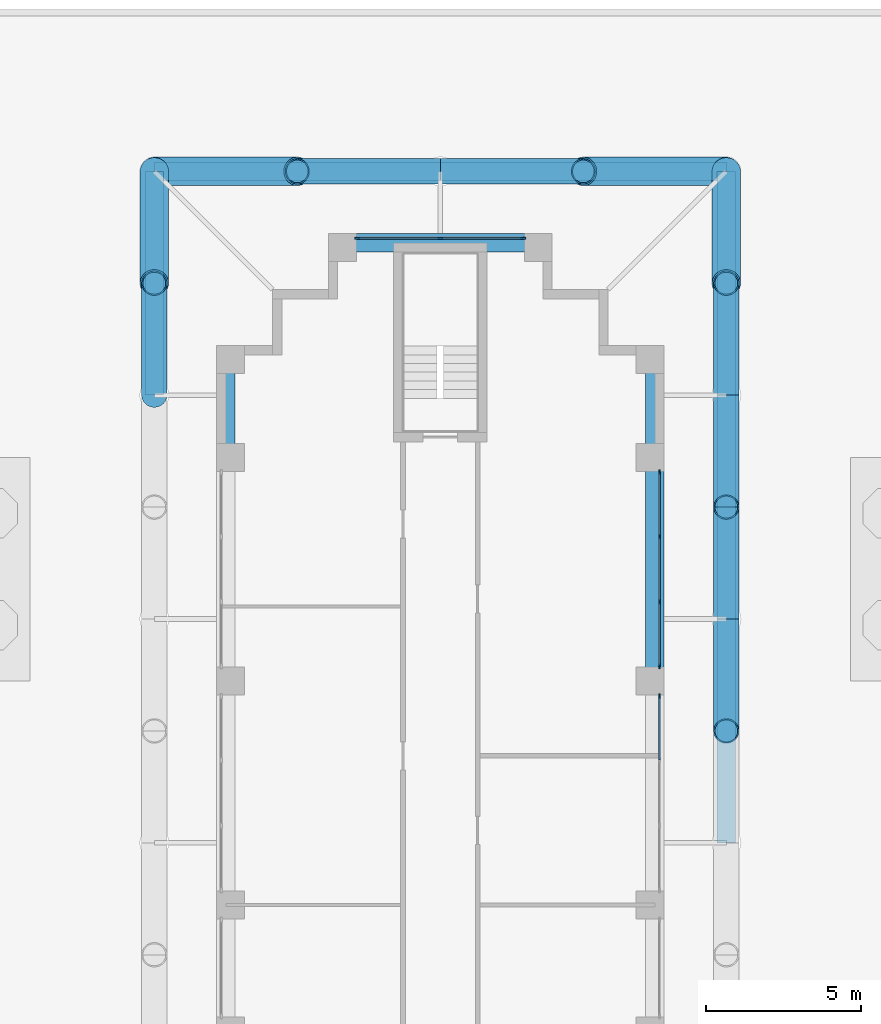
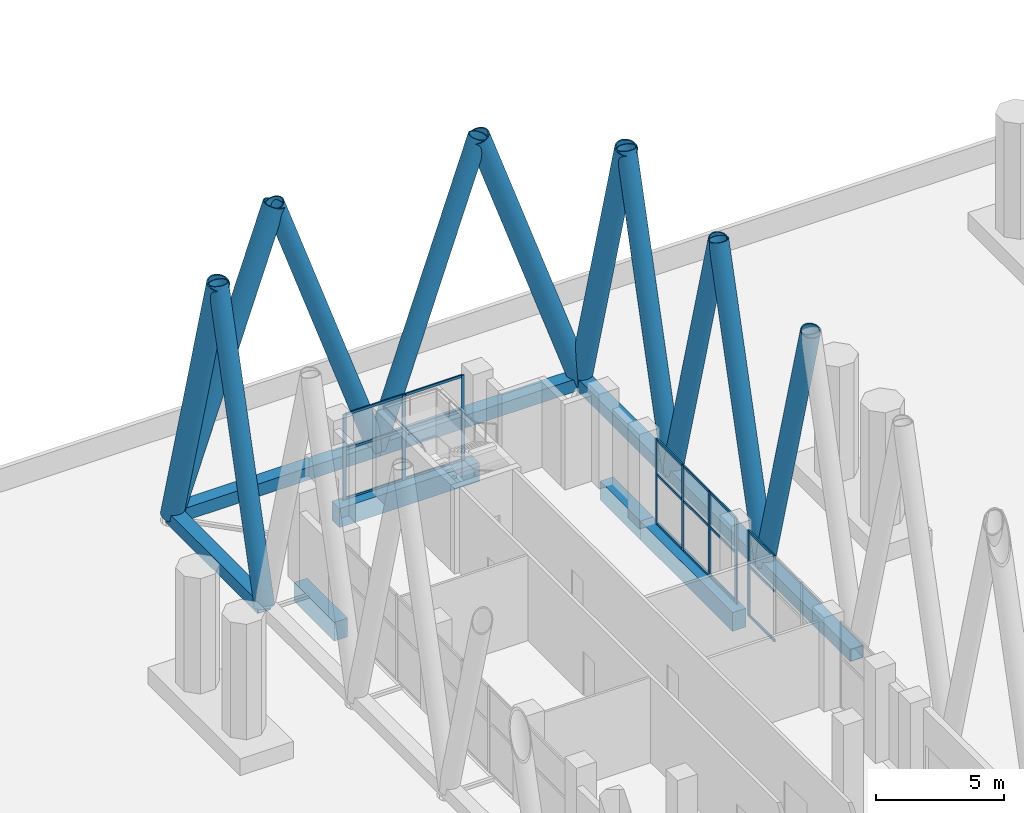
# One storey, part 12 of 31: 43 members, 4 beams, 3 elements without a shape of their own.
"""IFC4 building model written with IfcOpenShell, lengths in metres."""

from ifc_helpers import new_model, si_unit, direction, frame, origin, origin_2d, place, context, subcontext, project, spatial, rectangle, hollow_rectangle, hollow_circle, extrude, material, material_profile, profile_set, type_object, element, aggregate, save


model = new_model("IFC4")

# Units and contexts
model_context = context("Model", 3, precision=1e-05, world=origin(), true_north=direction((0.0, 1.0)))
body_context = subcontext(model_context, "Body", "Model", "MODEL_VIEW")
ifc_project = project(units=[si_unit("LENGTHUNIT", "METRE"), si_unit("AREAUNIT", "SQUARE_METRE"), si_unit("VOLUMEUNIT", "CUBIC_METRE"), si_unit("PLANEANGLEUNIT", "RADIAN"), si_unit("MASSUNIT", "GRAM", prefix="KILO")], contexts=[model_context])

# Site, building, storey
site_placement = place(None, origin())
site = spatial("IfcSite", under=ifc_project, at=site_placement, CompositionType="ELEMENT")
building_placement = place(site_placement, origin())
building = spatial("IfcBuilding", under=site, at=building_placement, Name="Fustian Cross Tower", CompositionType="ELEMENT")
storey_placement = place(building_placement, frame((0.0, 0.0, 7.199951171875)))
storey = spatial("IfcBuildingStorey", under=building, at=storey_placement, Name="L01", CompositionType="ELEMENT", Elevation=7.199951171875)

# Curtain wall, member
ifc_material_1 = material(Name="Glass", Category="glass")
curtain_wall_type = type_object("IfcCurtainWallType", Name="CW4 CURTAIN WALL", PredefinedType="NOTDEFINED", material=ifc_material_1)
curtain_wall_1_placement = place(storey_placement, origin())
curtain_wall_1 = element("IfcCurtainWall", 1, at=curtain_wall_1_placement, inside=storey, type_object=curtain_wall_type, Name="Curtain wall CW4", PredefinedType="NOTDEFINED")
ifc_material_2 = material(Name="Aluminium alloy 6063", Category="aluminium")
ifc_material_profile_1 = material_profile(ifc_material_2, rectangle(XDim=0.06005859375, YDim=0.159912109375, at=origin_2d()), Name="CW4 MULLION 60x160")
ifc_profile_set_1 = profile_set([ifc_material_profile_1], Name="Aluminium alloy 6063")
member_type_1 = type_object("IfcMemberType", Name="CW4 MULLION 60x160", PredefinedType="MULLION", material=ifc_profile_set_1)
member_1_placement = place(storey_placement, frame((7.050048828125, 28.320068359375, 0.0), z_axis=(0.0, 0.0, 1.0), x_axis=(-1.0, 0.0, 0.0)))
member_1 = element("IfcMember", 2, at=member_1_placement, type_object=member_type_1, Name="CW4 mullion 4", PredefinedType="MULLION", context=body_context, shape_type="SweptSolid", body=[
    extrude(rectangle(XDim=0.06005859375, YDim=0.159912109375, at=origin_2d()), origin(), (0.0, 0.0, 1.0), 4.074951171875),
])

# Curtain wall, members
curtain_wall_2_placement = place(storey_placement, origin())
curtain_wall_2 = element("IfcCurtainWall", 3, at=curtain_wall_2_placement, inside=storey, type_object=curtain_wall_type, Name="Curtain wall CW4", PredefinedType="NOTDEFINED")
member_2_placement = place(storey_placement, frame((7.050048828125, 29.280029296875, 0.0), z_axis=(0.0, 0.0, 1.0), x_axis=(-1.0, 0.0, 0.0)))
member_2 = element("IfcMember", 4, at=member_2_placement, type_object=member_type_1, Name="CW4 mullion 1", PredefinedType="MULLION", context=body_context, shape_type="SweptSolid", body=[
    extrude(rectangle(XDim=0.06005859375, YDim=0.159912109375, at=origin_2d()), origin(), (0.0, 0.0, 1.0), 4.074951171875),
])
member_3_placement = place(storey_placement, frame((7.050048828125, 31.35009765625, 0.0), z_axis=(0.0, 0.0, 1.0), x_axis=(-1.0, 0.0, 0.0)))
member_3 = element("IfcMember", 5, at=member_3_placement, type_object=member_type_1, Name="CW4 mullion 2", PredefinedType="MULLION", context=body_context, shape_type="SweptSolid", body=[
    extrude(rectangle(XDim=0.06005859375, YDim=0.159912109375, at=origin_2d()), origin(), (0.0, 0.0, 1.0), 4.074951171875),
])
member_4_placement = place(storey_placement, frame((7.050048828125, 33.449951171875, 0.0), z_axis=(0.0, 0.0, 1.0), x_axis=(-1.0, 0.0, 0.0)))
member_4 = element("IfcMember", 6, at=member_4_placement, type_object=member_type_1, Name="CW4 mullion 3", PredefinedType="MULLION", context=body_context, shape_type="SweptSolid", body=[
    extrude(rectangle(XDim=0.06005859375, YDim=0.159912109375, at=origin_2d()), origin(), (0.0, 0.0, 1.0), 4.074951171875),
])
member_5_placement = place(storey_placement, frame((7.050048828125, 35.52001953125, 0.0), z_axis=(0.0, 0.0, 1.0), x_axis=(-1.0, 0.0, 0.0)))
member_5 = element("IfcMember", 7, at=member_5_placement, type_object=member_type_1, Name="CW4 mullion 4", PredefinedType="MULLION", context=body_context, shape_type="SweptSolid", body=[
    extrude(rectangle(XDim=0.06005859375, YDim=0.159912109375, at=origin_2d()), origin(), (0.0, 0.0, 1.0), 4.074951171875),
])

curtain_wall_3_placement = place(storey_placement, origin())
curtain_wall_3 = element("IfcCurtainWall", 8, at=curtain_wall_3_placement, inside=storey, type_object=curtain_wall_type, Name="Curtain wall CW4", PredefinedType="NOTDEFINED")
member_6_placement = place(storey_placement, frame((2.669921875, 43.050048828125, 0.0), z_axis=(0.0, 0.0, 1.0), x_axis=(0.0, -1.0, 0.0)))
member_6 = element("IfcMember", 9, at=member_6_placement, type_object=member_type_1, Name="CW4 mullion 1", PredefinedType="MULLION", context=body_context, shape_type="SweptSolid", body=[
    extrude(rectangle(XDim=0.06005859375, YDim=0.159912109375, at=origin_2d()), origin(), (0.0, 0.0, 1.0), 4.074951171875),
])
member_7_placement = place(storey_placement, frame((0.0, 43.050048828125, 0.0), z_axis=(0.0, 0.0, 1.0), x_axis=(0.0, -1.0, 0.0)))
member_7 = element("IfcMember", 10, at=member_7_placement, type_object=member_type_1, Name="CW4 mullion 2", PredefinedType="MULLION", context=body_context, shape_type="SweptSolid", body=[
    extrude(rectangle(XDim=0.06005859375, YDim=0.159912109375, at=origin_2d()), origin(), (0.0, 0.0, 1.0), 4.074951171875),
])
member_8_placement = place(storey_placement, frame((-2.669921875, 43.050048828125, 0.0), z_axis=(0.0, 0.0, 1.0), x_axis=(0.0, -1.0, 0.0)))
member_8 = element("IfcMember", 11, at=member_8_placement, type_object=member_type_1, Name="CW4 mullion 3", PredefinedType="MULLION", context=body_context, shape_type="SweptSolid", body=[
    extrude(rectangle(XDim=0.06005859375, YDim=0.159912109375, at=origin_2d()), origin(), (0.0, 0.0, 1.0), 4.074951171875),
])

# Member
ifc_material_3 = material(Name="Aluminium alloy 6063", Category="aluminium")
ifc_material_profile_2 = material_profile(ifc_material_3, rectangle(XDim=0.06005859375, YDim=0.1201171875, at=origin_2d()), Name="CW4 TRANSOM 60x120")
ifc_profile_set_2 = profile_set([ifc_material_profile_2], Name="Aluminium alloy 6063")
member_type_2 = type_object("IfcMemberType", Name="CW4 TRANSOM 60x120", PredefinedType="USERDEFINED", material=ifc_profile_set_2)
member_9_placement = place(storey_placement, frame((7.050048828125, 26.280029296875, 0.030029296875), z_axis=(0.0, 1.0, 0.0), x_axis=(-1.0, 0.0, 0.0)))
member_9 = element("IfcMember", 12, at=member_9_placement, type_object=member_type_2, Name="CW4 transom 3.1", ObjectType="TRANSOM", PredefinedType="USERDEFINED", context=body_context, shape_type="SweptSolid", body=[
    extrude(rectangle(XDim=0.06005859375, YDim=0.1201171875, at=origin_2d()), origin(), (0.0, 0.0, 1.0), 2.010009765625),
])

member_10_placement = place(storey_placement, frame((7.050048828125, 26.280029296875, 2.400146484375), z_axis=(0.0, 1.0, 0.0), x_axis=(-1.0, 0.0, 0.0)))
member_10 = element("IfcMember", 13, at=member_10_placement, type_object=member_type_2, Name="CW4 transom 3.2", ObjectType="TRANSOM", PredefinedType="USERDEFINED", context=body_context, shape_type="SweptSolid", body=[
    extrude(rectangle(XDim=0.06005859375, YDim=0.1201171875, at=origin_2d()), origin(), (0.0, 0.0, 1.0), 2.010009765625),
])

member_11_placement = place(storey_placement, frame((7.050048828125, 26.280029296875, 4.045166015625), z_axis=(0.0, 1.0, 0.0), x_axis=(-1.0, 0.0, 0.0)))
member_11 = element("IfcMember", 14, at=member_11_placement, type_object=member_type_2, Name="CW4 transom 3.3", ObjectType="TRANSOM", PredefinedType="USERDEFINED", context=body_context, shape_type="SweptSolid", body=[
    extrude(rectangle(XDim=0.06005859375, YDim=0.1201171875, at=origin_2d()), origin(), (0.0, 0.0, 1.0), 2.010009765625),
])

aggregate(curtain_wall_1, [member_1, member_9, member_10, member_11])

member_12_placement = place(storey_placement, frame((7.050048828125, 29.31005859375, 0.030029296875), z_axis=(0.0, 1.0, 0.0), x_axis=(-1.0, 0.0, 0.0)))
member_12 = element("IfcMember", 15, at=member_12_placement, type_object=member_type_2, Name="CW4 transom 1.1", ObjectType="TRANSOM", PredefinedType="USERDEFINED", context=body_context, shape_type="SweptSolid", body=[
    extrude(rectangle(XDim=0.06005859375, YDim=0.1201171875, at=origin_2d()), origin(), (0.0, 0.0, 1.0), 2.010009765625),
])

member_13_placement = place(storey_placement, frame((7.050048828125, 29.31005859375, 2.400146484375), z_axis=(0.0, 1.0, 0.0), x_axis=(-1.0, 0.0, 0.0)))
member_13 = element("IfcMember", 16, at=member_13_placement, type_object=member_type_2, Name="CW4 transom 1.2", ObjectType="TRANSOM", PredefinedType="USERDEFINED", context=body_context, shape_type="SweptSolid", body=[
    extrude(rectangle(XDim=0.06005859375, YDim=0.1201171875, at=origin_2d()), origin(), (0.0, 0.0, 1.0), 2.010009765625),
])

member_14_placement = place(storey_placement, frame((7.050048828125, 29.31005859375, 4.045166015625), z_axis=(0.0, 1.0, 0.0), x_axis=(-1.0, 0.0, 0.0)))
member_14 = element("IfcMember", 17, at=member_14_placement, type_object=member_type_2, Name="CW4 transom 1.3", ObjectType="TRANSOM", PredefinedType="USERDEFINED", context=body_context, shape_type="SweptSolid", body=[
    extrude(rectangle(XDim=0.06005859375, YDim=0.1201171875, at=origin_2d()), origin(), (0.0, 0.0, 1.0), 2.010009765625),
])

member_15_placement = place(storey_placement, frame((7.050048828125, 31.3798828125, 0.030029296875), z_axis=(0.0, 1.0, 0.0), x_axis=(-1.0, 0.0, 0.0)))
member_15 = element("IfcMember", 18, at=member_15_placement, type_object=member_type_2, Name="CW4 transom 2.1", ObjectType="TRANSOM", PredefinedType="USERDEFINED", context=body_context, shape_type="SweptSolid", body=[
    extrude(rectangle(XDim=0.06005859375, YDim=0.1201171875, at=origin_2d()), origin(), (0.0, 0.0, 1.0), 2.0400390625),
])

member_16_placement = place(storey_placement, frame((7.050048828125, 31.3798828125, 2.400146484375), z_axis=(0.0, 1.0, 0.0), x_axis=(-1.0, 0.0, 0.0)))
member_16 = element("IfcMember", 19, at=member_16_placement, type_object=member_type_2, Name="CW4 transom 2.2", ObjectType="TRANSOM", PredefinedType="USERDEFINED", context=body_context, shape_type="SweptSolid", body=[
    extrude(rectangle(XDim=0.06005859375, YDim=0.1201171875, at=origin_2d()), origin(), (0.0, 0.0, 1.0), 2.0400390625),
])

member_17_placement = place(storey_placement, frame((7.050048828125, 31.3798828125, 4.045166015625), z_axis=(0.0, 1.0, 0.0), x_axis=(-1.0, 0.0, 0.0)))
member_17 = element("IfcMember", 20, at=member_17_placement, type_object=member_type_2, Name="CW4 transom 2.3", ObjectType="TRANSOM", PredefinedType="USERDEFINED", context=body_context, shape_type="SweptSolid", body=[
    extrude(rectangle(XDim=0.06005859375, YDim=0.1201171875, at=origin_2d()), origin(), (0.0, 0.0, 1.0), 2.0400390625),
])

member_18_placement = place(storey_placement, frame((7.050048828125, 33.47998046875, 0.030029296875), z_axis=(0.0, 1.0, 0.0), x_axis=(-1.0, 0.0, 0.0)))
member_18 = element("IfcMember", 21, at=member_18_placement, type_object=member_type_2, Name="CW4 transom 3.1", ObjectType="TRANSOM", PredefinedType="USERDEFINED", context=body_context, shape_type="SweptSolid", body=[
    extrude(rectangle(XDim=0.06005859375, YDim=0.1201171875, at=origin_2d()), origin(), (0.0, 0.0, 1.0), 2.010009765625),
])

member_19_placement = place(storey_placement, frame((7.050048828125, 33.47998046875, 2.400146484375), z_axis=(0.0, 1.0, 0.0), x_axis=(-1.0, 0.0, 0.0)))
member_19 = element("IfcMember", 22, at=member_19_placement, type_object=member_type_2, Name="CW4 transom 3.2", ObjectType="TRANSOM", PredefinedType="USERDEFINED", context=body_context, shape_type="SweptSolid", body=[
    extrude(rectangle(XDim=0.06005859375, YDim=0.1201171875, at=origin_2d()), origin(), (0.0, 0.0, 1.0), 2.010009765625),
])

member_20_placement = place(storey_placement, frame((7.050048828125, 33.47998046875, 4.045166015625), z_axis=(0.0, 1.0, 0.0), x_axis=(-1.0, 0.0, 0.0)))
member_20 = element("IfcMember", 23, at=member_20_placement, type_object=member_type_2, Name="CW4 transom 3.3", ObjectType="TRANSOM", PredefinedType="USERDEFINED", context=body_context, shape_type="SweptSolid", body=[
    extrude(rectangle(XDim=0.06005859375, YDim=0.1201171875, at=origin_2d()), origin(), (0.0, 0.0, 1.0), 2.010009765625),
])

aggregate(curtain_wall_2, [member_2, member_3, member_4, member_5, member_12, member_13, member_14, member_15, member_16, member_17, member_18, member_19, member_20])

member_21_placement = place(storey_placement, frame((2.639892578125, 43.050048828125, 0.030029296875), z_axis=(-1.0, 0.0, 0.0), x_axis=(0.0, -1.0, 0.0)))
member_21 = element("IfcMember", 24, at=member_21_placement, type_object=member_type_2, Name="CW4 transom 1.1", ObjectType="TRANSOM", PredefinedType="USERDEFINED", context=body_context, shape_type="SweptSolid", body=[
    extrude(rectangle(XDim=0.06005859375, YDim=0.1201171875, at=origin_2d()), origin(), (0.0, 0.0, 1.0), 2.60986328125),
])

member_22_placement = place(storey_placement, frame((2.639892578125, 43.050048828125, 2.400146484375), z_axis=(-1.0, 0.0, 0.0), x_axis=(0.0, -1.0, 0.0)))
member_22 = element("IfcMember", 25, at=member_22_placement, type_object=member_type_2, Name="CW4 transom 1.2", ObjectType="TRANSOM", PredefinedType="USERDEFINED", context=body_context, shape_type="SweptSolid", body=[
    extrude(rectangle(XDim=0.06005859375, YDim=0.1201171875, at=origin_2d()), origin(), (0.0, 0.0, 1.0), 2.60986328125),
])

member_23_placement = place(storey_placement, frame((2.639892578125, 43.050048828125, 4.045166015625), z_axis=(-1.0, 0.0, 0.0), x_axis=(0.0, -1.0, 0.0)))
member_23 = element("IfcMember", 26, at=member_23_placement, type_object=member_type_2, Name="CW4 transom 1.3", ObjectType="TRANSOM", PredefinedType="USERDEFINED", context=body_context, shape_type="SweptSolid", body=[
    extrude(rectangle(XDim=0.06005859375, YDim=0.1201171875, at=origin_2d()), origin(), (0.0, 0.0, 1.0), 2.60986328125),
])

member_24_placement = place(storey_placement, frame((-0.030029296875, 43.050048828125, 0.030029296875), z_axis=(-1.0, 0.0, 0.0), x_axis=(0.0, -1.0, 0.0)))
member_24 = element("IfcMember", 27, at=member_24_placement, type_object=member_type_2, Name="CW4 transom 2.1", ObjectType="TRANSOM", PredefinedType="USERDEFINED", context=body_context, shape_type="SweptSolid", body=[
    extrude(rectangle(XDim=0.06005859375, YDim=0.1201171875, at=origin_2d()), origin(), (0.0, 0.0, 1.0), 2.60986328125),
])

member_25_placement = place(storey_placement, frame((-0.030029296875, 43.050048828125, 2.400146484375), z_axis=(-1.0, 0.0, 0.0), x_axis=(0.0, -1.0, 0.0)))
member_25 = element("IfcMember", 28, at=member_25_placement, type_object=member_type_2, Name="CW4 transom 2.2", ObjectType="TRANSOM", PredefinedType="USERDEFINED", context=body_context, shape_type="SweptSolid", body=[
    extrude(rectangle(XDim=0.06005859375, YDim=0.1201171875, at=origin_2d()), origin(), (0.0, 0.0, 1.0), 2.60986328125),
])

member_26_placement = place(storey_placement, frame((-0.030029296875, 43.050048828125, 4.045166015625), z_axis=(-1.0, 0.0, 0.0), x_axis=(0.0, -1.0, 0.0)))
member_26 = element("IfcMember", 29, at=member_26_placement, type_object=member_type_2, Name="CW4 transom 2.3", ObjectType="TRANSOM", PredefinedType="USERDEFINED", context=body_context, shape_type="SweptSolid", body=[
    extrude(rectangle(XDim=0.06005859375, YDim=0.1201171875, at=origin_2d()), origin(), (0.0, 0.0, 1.0), 2.60986328125),
])

aggregate(curtain_wall_3, [member_6, member_7, member_8, member_21, member_22, member_23, member_24, member_25, member_26])

# Members
ifc_material_4 = material(Name="Steel S355", Category="steel")
ifc_material_profile_3 = material_profile(ifc_material_4, hollow_circle(Radius=0.406494140625, WallThickness=0.0400390625, at=origin_2d()), Name="CHS 813x40")
ifc_profile_set_3 = profile_set([ifc_material_profile_3], Name="Steel S355")
member_type_3 = type_object("IfcMemberType", Name="DIAGRID DIAGONAL CHS 813x40", PredefinedType="BRACE", material=ifc_profile_set_3)
for number, where, z_axis, x_axis, name in (
    (30, (9.199951171875, 30.800048828125, 0.300048828125), (0.0, -0.263124955092, 0.964761762306), (1.0, 0.0, 0.0), "Diagrid diagonal N-E 06"),
    (31, (9.199951171875, 30.800048828125, 0.300048828125), (0.0, 0.263108346568, 0.964766291889), (-1.0, 0.0, 0.0), "Diagrid diagonal N-E 07"),
    (32, (9.199951171875, 38.0, 0.300048828125), (0.0, -0.263124955092, 0.964761762306), (1.0, 0.0, 0.0), "Diagrid diagonal N-E 08"),
    (33, (9.199951171875, 38.0, 0.300048828125), (0.0, 0.263124955092, 0.964761762306), (-1.0, 0.0, 0.0), "Diagrid diagonal N-E 09"),
):
    element("IfcMember", number, at=place(storey_placement, frame(where, z_axis=z_axis, x_axis=x_axis)), inside=storey, type_object=member_type_3, Name=name, PredefinedType="BRACE", context=body_context, shape_type="SweptSolid", body=[
        extrude(hollow_circle(Radius=0.406494140625, WallThickness=0.0400390625, at=origin_2d()), origin(), (0.0, 0.0, 1.0), 13.68212890625),
    ])
for number, where, z_axis, x_axis, name in (
    (34, (0.0, 45.199951171875, 0.300048828125), (0.329082816703, 0.0, 0.944301064148), (0.0, 1.0, 0.0), "Diagrid diagonal N-end 02"),
    (35, (0.0, 45.199951171875, 0.300048828125), (-0.329082816703, 0.0, 0.944301064148), (0.0, -1.0, 0.0), "Diagrid diagonal N-end 03"),
):
    element("IfcMember", number, at=place(storey_placement, frame(where, z_axis=z_axis, x_axis=x_axis)), inside=storey, type_object=member_type_3, Name=name, PredefinedType="BRACE", context=body_context, shape_type="SweptSolid", body=[
        extrude(hollow_circle(Radius=0.406494140625, WallThickness=0.0400390625, at=origin_2d()), origin(), (0.0, 0.0, 1.0), 13.978515625),
    ])
member_27_placement = place(storey_placement, frame((-9.199951171875, 38.0, 0.300048828125), z_axis=(0.0, 0.263124955092, 0.964761762306), x_axis=(-1.0, 0.0, 0.0)))
element("IfcMember", 36, at=member_27_placement, inside=storey, type_object=member_type_3, Name="Diagrid diagonal N-W 02", PredefinedType="BRACE", context=body_context, shape_type="SweptSolid", body=[
    extrude(hollow_circle(Radius=0.406494140625, WallThickness=0.0400390625, at=origin_2d()), origin(), (0.0, 0.0, 1.0), 13.68212890625),
])
ifc_material_5 = material(Name="Steel S355", Category="steel")
ifc_material_profile_4 = material_profile(ifc_material_5, hollow_circle(Radius=0.457275390625, WallThickness=0.050048828125, at=origin_2d()), Name="CHS 914x50")
ifc_profile_set_4 = profile_set([ifc_material_profile_4], Name="Steel S355")
member_type_4 = type_object("IfcMemberType", Name="DIAGRID DIAGONAL CHS 914x50", PredefinedType="BRACE", material=ifc_profile_set_4)
member_28_placement = place(storey_placement, frame((9.199951171875, 45.199951171875, 0.300048828125), z_axis=(0.0, -0.263108346568, 0.964766291889), x_axis=(1.0, 0.0, 0.0)))
element("IfcMember", 37, at=member_28_placement, inside=storey, type_object=member_type_4, Name="Diagrid diagonal N-E 10", PredefinedType="BRACE", context=body_context, shape_type="SweptSolid", body=[
    extrude(hollow_circle(Radius=0.457275390625, WallThickness=0.050048828125, at=origin_2d()), origin(), (0.0, 0.0, 1.0), 13.68212890625),
])
for number, where, z_axis, x_axis, name in (
    (38, (9.199951171875, 45.199951171875, 0.300048828125), (-0.329067242605, 0.0, 0.944306491476), (0.0, -1.0, 0.0), "Diagrid diagonal N-end 01"),
    (39, (-9.199951171875, 45.199951171875, 0.300048828125), (0.329067242605, 0.0, 0.944306491476), (0.0, 1.0, 0.0), "Diagrid diagonal N-end 04"),
):
    element("IfcMember", number, at=place(storey_placement, frame(where, z_axis=z_axis, x_axis=x_axis)), inside=storey, type_object=member_type_4, Name=name, PredefinedType="BRACE", context=body_context, shape_type="SweptSolid", body=[
        extrude(hollow_circle(Radius=0.457275390625, WallThickness=0.050048828125, at=origin_2d()), origin(), (0.0, 0.0, 1.0), 13.978515625),
    ])
member_29_placement = place(storey_placement, frame((-9.199951171875, 45.199951171875, 0.300048828125), z_axis=(0.0, -0.263108346568, 0.964766291889), x_axis=(1.0, 0.0, 0.0)))
element("IfcMember", 40, at=member_29_placement, inside=storey, type_object=member_type_4, Name="Diagrid diagonal N-W 01", PredefinedType="BRACE", context=body_context, shape_type="SweptSolid", body=[
    extrude(hollow_circle(Radius=0.457275390625, WallThickness=0.050048828125, at=origin_2d()), origin(), (0.0, 0.0, 1.0), 13.68212890625),
])
ifc_material_6 = material(Name="Steel S355", Category="steel")
ifc_material_profile_5 = material_profile(ifc_material_6, hollow_rectangle(XDim=0.60009765625, YDim=0.60009765625, WallThickness=0.030029296875, at=origin_2d()), Name="RHS 600x600x30")
ifc_profile_set_5 = profile_set([ifc_material_profile_5], Name="Steel S355")
member_type_5 = type_object("IfcMemberType", Name="DIAGRID RING RHS 600x600x30", PredefinedType="MEMBER", material=ifc_profile_set_5)
for number, where, z_axis, x_axis, name in (
    (41, (9.199951171875, 23.60009765625, 0.300048828125), (0.0, 1.0, 0.0), (-1.0, 0.0, 0.0), "Diagrid ring L01-09 L01-10"),
    (42, (9.199951171875, 30.800048828125, 0.300048828125), (0.0, 1.0, 0.0), (-1.0, 0.0, 0.0), "Diagrid ring L01-10 L01-11"),
    (43, (9.199951171875, 38.0, 0.300048828125), (0.0, 1.0, 0.0), (-1.0, 0.0, 0.0), "Diagrid ring L01-11 L01-12"),
):
    element("IfcMember", number, at=place(storey_placement, frame(where, z_axis=z_axis, x_axis=x_axis)), inside=storey, type_object=member_type_5, Name=name, PredefinedType="MEMBER", context=body_context, shape_type="SweptSolid", body=[
        extrude(hollow_rectangle(XDim=0.60009765625, YDim=0.60009765625, WallThickness=0.030029296875, at=origin_2d()), origin(), (0.0, 0.0, 1.0), 7.199951171875),
    ])
for number, where, z_axis, x_axis, name in (
    (44, (9.199951171875, 45.199951171875, 0.300048828125), (-1.0, 0.0, 0.0), (0.0, -1.0, 0.0), "Diagrid ring L01-12 L01-13"),
    (45, (0.0, 45.199951171875, 0.300048828125), (-1.0, 0.0, 0.0), (0.0, -1.0, 0.0), "Diagrid ring L01-13 L01-14"),
):
    element("IfcMember", number, at=place(storey_placement, frame(where, z_axis=z_axis, x_axis=x_axis)), inside=storey, type_object=member_type_5, Name=name, PredefinedType="MEMBER", context=body_context, shape_type="SweptSolid", body=[
        extrude(hollow_rectangle(XDim=0.60009765625, YDim=0.60009765625, WallThickness=0.030029296875, at=origin_2d()), origin(), (0.0, 0.0, 1.0), 9.199951171875),
    ])
member_30_placement = place(storey_placement, frame((-9.199951171875, 45.199951171875, 0.300048828125), z_axis=(0.0, -1.0, 0.0), x_axis=(1.0, 0.0, 0.0)))
element("IfcMember", 46, at=member_30_placement, inside=storey, type_object=member_type_5, Name="Diagrid ring L01-14 L01-15", PredefinedType="MEMBER", context=body_context, shape_type="SweptSolid", body=[
    extrude(hollow_rectangle(XDim=0.60009765625, YDim=0.60009765625, WallThickness=0.030029296875, at=origin_2d()), origin(), (0.0, 0.0, 1.0), 7.199951171875),
])

# Beams
ifc_material_7 = material(Name="Concrete C50/60", Category="concrete")
ifc_material_profile_6 = material_profile(ifc_material_7, rectangle(XDim=0.60009765625, YDim=0.89990234375, at=origin_2d()), Name="RC 600x900")
ifc_profile_set_6 = profile_set([ifc_material_profile_6], Name="Concrete C50/60")
beam_type = type_object("IfcBeamType", Name="EDGE BEAM RC 600x900 C50/60", PredefinedType="SPANDREL", material=ifc_profile_set_6)
beam_1_placement = place(storey_placement, frame((6.89990234375, 28.800048828125, -0.449951171875), z_axis=(0.0, 1.0, 0.0), x_axis=(-1.0, 0.0, 0.0)))
element("IfcBeam", 47, at=beam_1_placement, inside=storey, type_object=beam_type, Name="EDGE BEAM L01-14", PredefinedType="SPANDREL", context=body_context, shape_type="SweptSolid", body=[
    extrude(rectangle(XDim=0.60009765625, YDim=0.89990234375, at=origin_2d()), origin(), (0.0, 0.0, 1.0), 7.199951171875),
])
beam_2_placement = place(storey_placement, frame((6.89990234375, 36.0, -0.449951171875), z_axis=(0.0, 1.0, 0.0), x_axis=(-1.0, 0.0, 0.0)))
element("IfcBeam", 48, at=beam_2_placement, inside=storey, type_object=beam_type, Name="EDGE BEAM L01-15", PredefinedType="SPANDREL", context=body_context, shape_type="SweptSolid", body=[
    extrude(rectangle(XDim=0.60009765625, YDim=0.89990234375, at=origin_2d()), origin(), (0.0, 0.0, 1.0), 3.14990234375),
])
beam_3_placement = place(storey_placement, frame((3.14990234375, 42.89990234375, -0.449951171875), z_axis=(-1.0, 0.0, 0.0), x_axis=(0.0, -1.0, 0.0)))
element("IfcBeam", 49, at=beam_3_placement, inside=storey, type_object=beam_type, Name="EDGE BEAM L01-16", PredefinedType="SPANDREL", context=body_context, shape_type="SweptSolid", body=[
    extrude(rectangle(XDim=0.60009765625, YDim=0.89990234375, at=origin_2d()), origin(), (0.0, 0.0, 1.0), 6.2998046875),
])
beam_4_placement = place(storey_placement, frame((-6.89990234375, 39.14990234375, -0.449951171875), z_axis=(0.0, -1.0, 0.0), x_axis=(1.0, 0.0, 0.0)))
element("IfcBeam", 50, at=beam_4_placement, inside=storey, type_object=beam_type, Name="EDGE BEAM L01-17", PredefinedType="SPANDREL", context=body_context, shape_type="SweptSolid", body=[
    extrude(rectangle(XDim=0.60009765625, YDim=0.89990234375, at=origin_2d()), origin(), (0.0, 0.0, 1.0), 3.14990234375),
])

save(model, "model.ifc")
